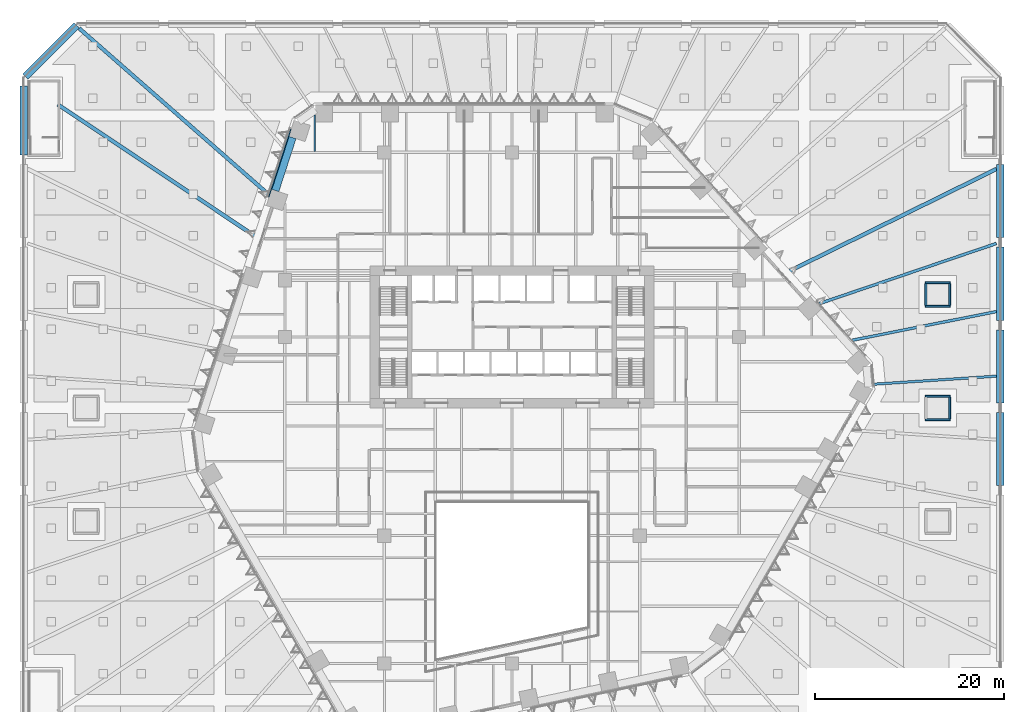
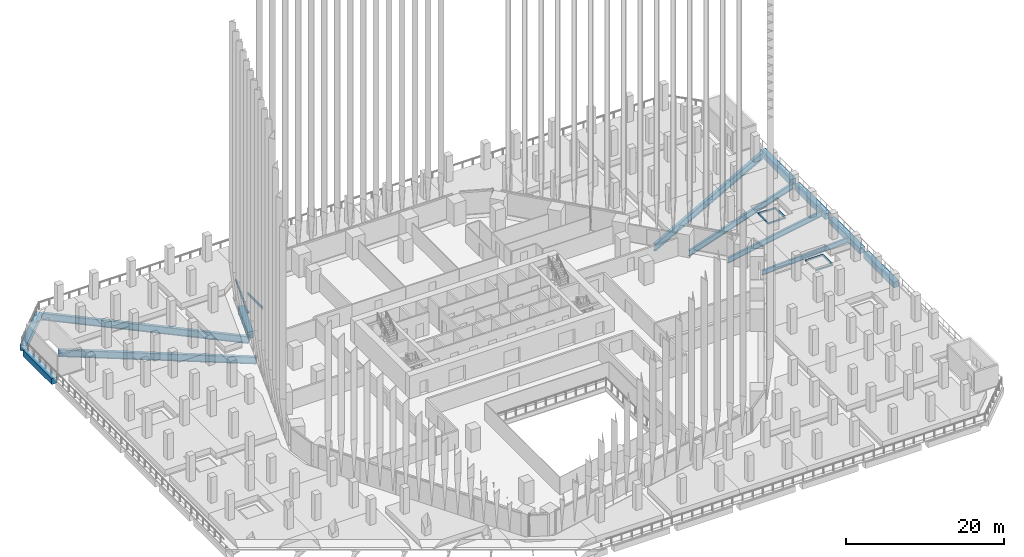
# One storey, part 17 of 51: 14 beams, 8 members, 1 element without a shape of its own.
"""IFC4 building model written with IfcOpenShell, lengths in metres."""

from ifc_helpers import new_model, si_unit, direction, frame, origin, origin_2d, place, context, subcontext, project, spatial, rectangle, i_section, extrude, material, layer, layer_set, material_profile, profile_set, type_object, element, aggregate, save


model = new_model("IFC4")

# Units and contexts
model_context = context("Model", 3, precision=1e-05, world=origin(), true_north=direction((0.0, 1.0)))
body_context = subcontext(model_context, "Body", "Model", "MODEL_VIEW")
ifc_project = project(units=[si_unit("LENGTHUNIT", "METRE"), si_unit("AREAUNIT", "SQUARE_METRE"), si_unit("VOLUMEUNIT", "CUBIC_METRE"), si_unit("PLANEANGLEUNIT", "RADIAN"), si_unit("MASSUNIT", "GRAM", prefix="KILO")], contexts=[model_context])

# Site, building, storey
site_placement = place(None, origin())
site = spatial("IfcSite", under=ifc_project, at=site_placement, CompositionType="ELEMENT")
building_placement = place(site_placement, origin())
building = spatial("IfcBuilding", under=site, at=building_placement, Name="Isthmus Gate Tower", CompositionType="ELEMENT")
storey_placement = place(building_placement, frame((0.0, 0.0, 36.0)))
storey = spatial("IfcBuildingStorey", under=building, at=storey_placement, Name="L06", CompositionType="ELEMENT", Elevation=36.0)

# Curtain wall, member
ifc_material_1 = material(Name="Aluminium, pale champagne anodised", Category="aluminium")
ifc_layer = layer(ifc_material_1, 0.199951171875)
ifc_layer_set = layer_set([ifc_layer], Name="CW-1 UNITISED CURTAIN WALL 200 DEEP")
curtain_wall_type = type_object("IfcCurtainWallType", Name="CW-1 UNITISED CURTAIN WALL 200 DEEP", PredefinedType="NOTDEFINED", material=ifc_layer_set)
curtain_wall_placement = place(storey_placement, origin())
curtain_wall = element("IfcCurtainWall", 1, at=curtain_wall_placement, inside=storey, type_object=curtain_wall_type, Name="CW-1 NW L06", PredefinedType="NOTDEFINED")
ifc_material_2 = material(Name="Aluminium, pale champagne anodised", Category="aluminium")
ifc_material_profile_1 = material_profile(ifc_material_2, rectangle(XDim=0.199951171875, YDim=0.14990234375, at=origin_2d()), Name="200x150")
ifc_profile_set_1 = profile_set([ifc_material_profile_1], Name="Aluminium, pale champagne anodised")
member_type_1 = type_object("IfcMemberType", Name="CW-1 TRANSOM 200 X 150", PredefinedType="USERDEFINED", material=ifc_profile_set_1)
member_1_placement = place(storey_placement, frame((-23.4208984375, 29.532958984375, 3.574951171875), z_axis=(-0.309018780445, -0.951055935964, 0.0), x_axis=(0.951055935964, -0.309018780445, 0.0)))
member_1 = element("IfcMember", 2, at=member_1_placement, type_object=member_type_1, Name="CW-1 transom", ObjectType="TRANSOM", PredefinedType="USERDEFINED", context=body_context, shape_type="SweptSolid", body=[
    extrude(rectangle(XDim=0.199951171875, YDim=0.14990234375, at=origin_2d()), origin(), (0.0, 0.0, 1.0), 7.629638671875),
])
aggregate(curtain_wall, [member_1])

# Beams
ifc_material_3 = material(Name="Concrete f'c 70 MPa", Category="concrete")
ifc_material_profile_2 = material_profile(ifc_material_3, rectangle(XDim=0.800048828125, YDim=0.89990234375, at=origin_2d()), Name="RC 800X900")
ifc_profile_set_2 = profile_set([ifc_material_profile_2], Name="Concrete f'c 70 MPa")
beam_type_1 = type_object("IfcBeamType", Name="RC EDGE BEAM 800 X 900", PredefinedType="BEAM", material=ifc_profile_set_2)
beam_1_placement = place(storey_placement, frame((-51.60009765625, 26.75, -0.60009765625), z_axis=(0.0, 1.0, 0.0), x_axis=(-1.0, 0.0, 0.0)))
element("IfcBeam", 3, at=beam_1_placement, inside=storey, type_object=beam_type_1, Name="str-edgebeam-L06-07", PredefinedType="BEAM", context=body_context, shape_type="SweptSolid", body=[
    extrude(rectangle(XDim=0.800048828125, YDim=0.89990234375, at=origin_2d()), origin(), (0.0, 0.0, 1.0), 7.25),
])
beam_2_placement = place(storey_placement, frame((-51.434326171875, 35.0, -0.60009765625), z_axis=(0.707106781187, 0.707106781187, 0.0), x_axis=(-0.707106781187, 0.707106781187, 0.0)))
element("IfcBeam", 4, at=beam_2_placement, inside=storey, type_object=beam_type_1, Name="str-edgebeam-L06-08", PredefinedType="BEAM", context=body_context, shape_type="SweptSolid", body=[
    extrude(rectangle(XDim=0.800048828125, YDim=0.89990234375, at=origin_2d()), origin(), (0.0, 0.0, 1.0), 7.685302734375),
])
for number, where, z_axis, x_axis, name in (
    (5, (51.60009765625, 25.75, -0.60009765625), (0.0, -1.0, 0.0), (1.0, 0.0, 0.0), "str-edgebeam-L06-21"),
    (6, (51.60009765625, 17.0, -0.60009765625), (0.0, -1.0, 0.0), (1.0, 0.0, 0.0), "str-edgebeam-L06-22"),
    (7, (51.60009765625, 8.25, -0.60009765625), (0.0, -1.0, 0.0), (1.0, 0.0, 0.0), "str-edgebeam-L06-23"),
):
    element("IfcBeam", number, at=place(storey_placement, frame(where, z_axis=z_axis, x_axis=x_axis)), inside=storey, type_object=beam_type_1, Name=name, PredefinedType="BEAM", context=body_context, shape_type="SweptSolid", body=[
        extrude(rectangle(XDim=0.800048828125, YDim=0.89990234375, at=origin_2d()), origin(), (0.0, 0.0, 1.0), 7.75),
    ])
beam_3_placement = place(storey_placement, frame((51.60009765625, -0.5, -0.60009765625), z_axis=(0.0, -1.0, 0.0), x_axis=(1.0, 0.0, 0.0)))
element("IfcBeam", 8, at=beam_3_placement, inside=storey, type_object=beam_type_1, Name="str-edgebeam-L06-24", PredefinedType="BEAM", context=body_context, shape_type="SweptSolid", body=[
    extrude(rectangle(XDim=0.800048828125, YDim=0.89990234375, at=origin_2d()), origin(), (0.0, 0.0, 1.0), 7.699951171875),
])
ifc_material_4 = material(Name="Concrete f'c 70 MPa", Category="concrete")
ifc_material_profile_3 = material_profile(ifc_material_4, rectangle(XDim=0.800048828125, YDim=1.0, at=origin_2d()), Name="RC 800X1000")
ifc_profile_set_3 = profile_set([ifc_material_profile_3], Name="Concrete f'c 70 MPa")
beam_type_2 = type_object("IfcBeamType", Name="RC SPANDREL 800 X 1000", PredefinedType="SPANDREL", material=ifc_profile_set_3)
beam_4_placement = place(storey_placement, frame((-25.02490234375, 22.978271484375, -0.5), z_axis=(0.309042953764, 0.951048081187, 0.0), x_axis=(-0.951048081187, 0.309042953764, 0.0)))
element("IfcBeam", 9, at=beam_4_placement, inside=storey, type_object=beam_type_2, Name="str-spandrel-L06-21", PredefinedType="SPANDREL", context=body_context, shape_type="SweptSolid", body=[
    extrude(rectangle(XDim=0.800048828125, YDim=1.0, at=origin_2d()), origin(), (0.0, 0.0, 1.0), 5.889404296875),
])

# Members
ifc_material_5 = material(Name="Concrete C30/37", Category="concrete")
ifc_material_profile_4 = material_profile(ifc_material_5, rectangle(XDim=0.199951171875, YDim=0.199951171875, at=origin_2d()), Name="200x200")
ifc_profile_set_4 = profile_set([ifc_material_profile_4], Name="Concrete C30/37")
member_type_2 = type_object("IfcMemberType", Name="SKYLIGHT KERB 200 X 200", PredefinedType="USERDEFINED", material=ifc_profile_set_4)
for number, where, z_axis, x_axis, name in (
    (10, (43.699951171875, -1.25, 0.10009765625), (1.0, 0.0, 0.0), (0.0, 1.0, 0.0), "Skylight kerb"),
    (11, (43.699951171875, 1.25, 0.10009765625), (1.0, 0.0, 0.0), (0.0, 1.0, 0.0), "Skylight kerb"),
):
    element("IfcMember", number, at=place(storey_placement, frame(where, z_axis=z_axis, x_axis=x_axis)), inside=storey, type_object=member_type_2, Name=name, ObjectType="KERB", PredefinedType="USERDEFINED", context=body_context, shape_type="SweptSolid", body=[
        extrude(rectangle(XDim=0.199951171875, YDim=0.199951171875, at=origin_2d()), origin(), (0.0, 0.0, 1.0), 2.60009765625),
    ])
member_2_placement = place(storey_placement, frame((46.25, -1.14990234375, 0.10009765625), z_axis=(0.0, 1.0, 0.0), x_axis=(-1.0, 0.0, 0.0)))
element("IfcMember", 12, at=member_2_placement, inside=storey, type_object=member_type_2, Name="Skylight kerb", ObjectType="KERB", PredefinedType="USERDEFINED", context=body_context, shape_type="SweptSolid", body=[
    extrude(rectangle(XDim=0.199951171875, YDim=0.199951171875, at=origin_2d()), origin(), (0.0, 0.0, 1.0), 2.2998046875),
])
for number, where, z_axis, x_axis, name in (
    (13, (43.699951171875, 10.75, 0.10009765625), (1.0, 0.0, 0.0), (0.0, 1.0, 0.0), "Skylight kerb"),
    (14, (43.699951171875, 13.25, 0.10009765625), (1.0, 0.0, 0.0), (0.0, 1.0, 0.0), "Skylight kerb"),
):
    element("IfcMember", number, at=place(storey_placement, frame(where, z_axis=z_axis, x_axis=x_axis)), inside=storey, type_object=member_type_2, Name=name, ObjectType="KERB", PredefinedType="USERDEFINED", context=body_context, shape_type="SweptSolid", body=[
        extrude(rectangle(XDim=0.199951171875, YDim=0.199951171875, at=origin_2d()), origin(), (0.0, 0.0, 1.0), 2.60009765625),
    ])
for number, where, z_axis, x_axis, name in (
    (15, (43.75, 10.85009765625, 0.10009765625), (0.0, 1.0, 0.0), (-1.0, 0.0, 0.0), "Skylight kerb"),
    (16, (46.25, 10.85009765625, 0.10009765625), (0.0, 1.0, 0.0), (-1.0, 0.0, 0.0), "Skylight kerb"),
):
    element("IfcMember", number, at=place(storey_placement, frame(where, z_axis=z_axis, x_axis=x_axis)), inside=storey, type_object=member_type_2, Name=name, ObjectType="KERB", PredefinedType="USERDEFINED", context=body_context, shape_type="SweptSolid", body=[
        extrude(rectangle(XDim=0.199951171875, YDim=0.199951171875, at=origin_2d()), origin(), (0.0, 0.0, 1.0), 2.2998046875),
    ])

# Beams
ifc_material_6 = material(Name="Structural steel ASTM A992 Gr 50", Category="steel")
ifc_material_profile_5 = material_profile(ifc_material_6, i_section(OverallWidth=0.1396484375, OverallDepth=0.4033203125, WebThickness=0.00634765625, FlangeThickness=0.010986328125, at=origin_2d()), Name="W16X31")
ifc_profile_set_5 = profile_set([ifc_material_profile_5], Name="Structural steel ASTM A992 Gr 50")
beam_type_3 = type_object("IfcBeamType", Name="STEEL FLOOR BEAM W16X31", PredefinedType="JOIST", material=ifc_profile_set_5)
beam_5_placement = place(storey_placement, frame((-20.846435546875, 27.1142578125, -0.3515625), z_axis=(0.0, 1.0, 0.0), x_axis=(-1.0, 0.0, 0.0)))
element("IfcBeam", 17, at=beam_5_placement, inside=storey, type_object=beam_type_3, Name="str-beam-L06-08-00", PredefinedType="JOIST", context=body_context, shape_type="SweptSolid", body=[
    extrude(i_section(OverallWidth=0.1396484375, OverallDepth=0.4033203125, WebThickness=0.00634765625, FlangeThickness=0.010986328125, at=origin_2d()), origin(), (0.0, 0.0, 1.0), 3.858154296875),
])
ifc_material_7 = material(Name="Structural steel ASTM A992 Gr 50", Category="steel")
ifc_material_profile_6 = material_profile(ifc_material_7, i_section(OverallWidth=0.263427734375, OverallDepth=0.749267578125, WebThickness=0.0126953125, FlangeThickness=0.015869140625, at=origin_2d()), Name="W30X90")
ifc_profile_set_6 = profile_set([ifc_material_profile_6], Name="Structural steel ASTM A992 Gr 50")
beam_type_4 = type_object("IfcBeamType", Name="STEEL LEDGE BEAM W30X90", PredefinedType="JOIST", material=ifc_profile_set_6)
beam_6_placement = place(storey_placement, frame((38.055908203125, 2.494384765625, -0.524658203125), z_axis=(0.9978598049, 0.065389676282, 0.0), x_axis=(-0.065389676282, 0.9978598049, 0.0)))
element("IfcBeam", 18, at=beam_6_placement, inside=storey, type_object=beam_type_4, Name="str-ringbeam-L06-00-00", PredefinedType="JOIST", context=body_context, shape_type="SweptSolid", body=[
    extrude(i_section(OverallWidth=0.263427734375, OverallDepth=0.749267578125, WebThickness=0.0126953125, FlangeThickness=0.015869140625, at=origin_2d()), origin(), (0.0, 0.0, 1.0), 13.172119140625),
])
ifc_material_8 = material(Name="Structural steel ASTM A992 Gr 50", Category="steel")
ifc_material_profile_7 = material_profile(ifc_material_8, i_section(OverallWidth=0.2919921875, OverallDepth=0.8349609375, WebThickness=0.014404296875, FlangeThickness=0.01904296875, at=origin_2d()), Name="W33X118")
ifc_profile_set_7 = profile_set([ifc_material_profile_7], Name="Structural steel ASTM A992 Gr 50")
beam_type_5 = type_object("IfcBeamType", Name="STEEL LEDGE BEAM W33X118", PredefinedType="JOIST", material=ifc_profile_set_7)
beam_7_placement = place(storey_placement, frame((35.721435546875, 7.10546875, -0.5673828125), z_axis=(0.980785410916, 0.195089665884, 0.0), x_axis=(-0.195089665884, 0.980785410916, 0.0)))
element("IfcBeam", 19, at=beam_7_placement, inside=storey, type_object=beam_type_5, Name="str-ringbeam-L06-00-01", PredefinedType="JOIST", context=body_context, shape_type="SweptSolid", body=[
    extrude(i_section(OverallWidth=0.2919921875, OverallDepth=0.8349609375, WebThickness=0.014404296875, FlangeThickness=0.01904296875, at=origin_2d()), origin(), (0.0, 0.0, 1.0), 15.78173828125),
])
ifc_material_9 = material(Name="Structural steel ASTM A992 Gr 50", Category="steel")
ifc_material_profile_8 = material_profile(ifc_material_9, i_section(OverallWidth=0.3046875, OverallDepth=0.914306640625, WebThickness=0.015869140625, FlangeThickness=0.025390625, at=origin_2d()), Name="W36X160")
ifc_profile_set_8 = profile_set([ifc_material_profile_8], Name="Structural steel ASTM A992 Gr 50")
beam_type_6 = type_object("IfcBeamType", Name="STEEL LEDGE BEAM W36X160", PredefinedType="JOIST", material=ifc_profile_set_8)
beam_8_placement = place(storey_placement, frame((32.25927734375, 10.95068359375, -0.607177734375), z_axis=(0.946930875712, 0.32143726701, 0.0), x_axis=(-0.32143726701, 0.946930875712, 0.0)))
element("IfcBeam", 20, at=beam_8_placement, inside=storey, type_object=beam_type_6, Name="str-ringbeam-L06-00-02", PredefinedType="JOIST", context=body_context, shape_type="SweptSolid", body=[
    extrude(i_section(OverallWidth=0.3046875, OverallDepth=0.914306640625, WebThickness=0.015869140625, FlangeThickness=0.025390625, at=origin_2d()), origin(), (0.0, 0.0, 1.0), 20.002197265625),
])
ifc_material_10 = material(Name="Structural steel ASTM A992 Gr 50", Category="steel")
ifc_material_profile_9 = material_profile(ifc_material_10, i_section(OverallWidth=0.39990234375, OverallDepth=1.089111328125, WebThickness=0.017578125, FlangeThickness=0.03173828125, at=origin_2d()), Name="W44X230")
ifc_profile_set_9 = profile_set([ifc_material_profile_9], Name="Structural steel ASTM A992 Gr 50")
beam_type_7 = type_object("IfcBeamType", Name="STEEL LEDGE BEAM W44X230", PredefinedType="JOIST", material=ifc_profile_set_9)
beam_9_placement = place(storey_placement, frame((29.16796875, 14.384033203125, -0.694580078125), z_axis=(0.896872436716, 0.442289308325, 0.0), x_axis=(-0.442289308325, 0.896872436716, 0.0)))
element("IfcBeam", 21, at=beam_9_placement, inside=storey, type_object=beam_type_7, Name="str-ringbeam-L06-00-03", PredefinedType="JOIST", context=body_context, shape_type="SweptSolid", body=[
    extrude(i_section(OverallWidth=0.39990234375, OverallDepth=1.089111328125, WebThickness=0.017578125, FlangeThickness=0.03173828125, at=origin_2d()), origin(), (0.0, 0.0, 1.0), 24.5654296875),
])
beam_10_placement = place(storey_placement, frame((-25.613037109375, 22.462158203125, -0.694580078125), z_axis=(-0.751838708487, 0.659347068258, 0.0), x_axis=(-0.659347068258, -0.751838708487, 0.0)))
element("IfcBeam", 22, at=beam_10_placement, inside=storey, type_object=beam_type_7, Name="str-ringbeam-L06-00-18", PredefinedType="JOIST", context=body_context, shape_type="SweptSolid", body=[
    extrude(i_section(OverallWidth=0.39990234375, OverallDepth=1.089111328125, WebThickness=0.017578125, FlangeThickness=0.03173828125, at=origin_2d()), origin(), (0.0, 0.0, 1.0), 26.78125),
])
beam_11_placement = place(storey_placement, frame((-27.040771484375, 18.068115234375, -0.694580078125), z_axis=(-0.83147170563, 0.555567100121, 0.0), x_axis=(-0.555567100121, -0.83147170563, 0.0)))
element("IfcBeam", 23, at=beam_11_placement, inside=storey, type_object=beam_type_7, Name="str-ringbeam-L06-00-19", PredefinedType="JOIST", context=body_context, shape_type="SweptSolid", body=[
    extrude(i_section(OverallWidth=0.39990234375, OverallDepth=1.089111328125, WebThickness=0.017578125, FlangeThickness=0.03173828125, at=origin_2d()), origin(), (0.0, 0.0, 1.0), 25.207275390625),
])

save(model, "model.ifc")
